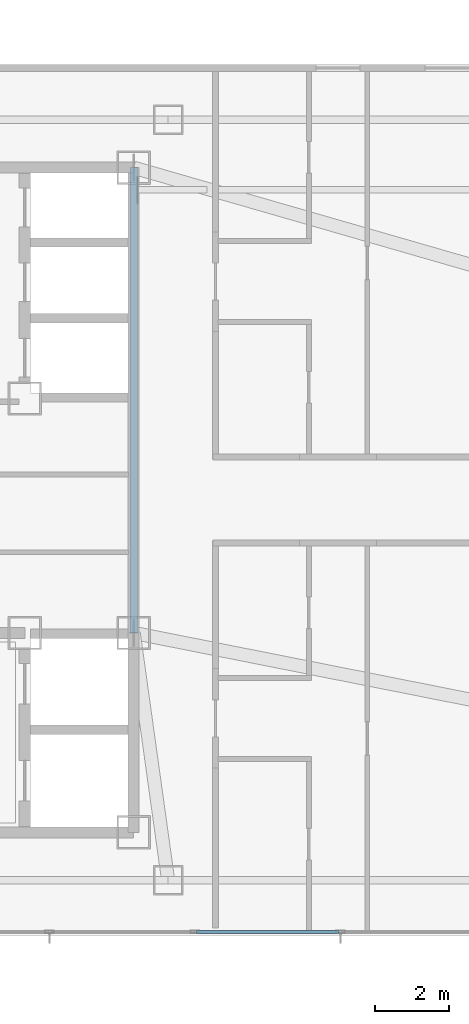
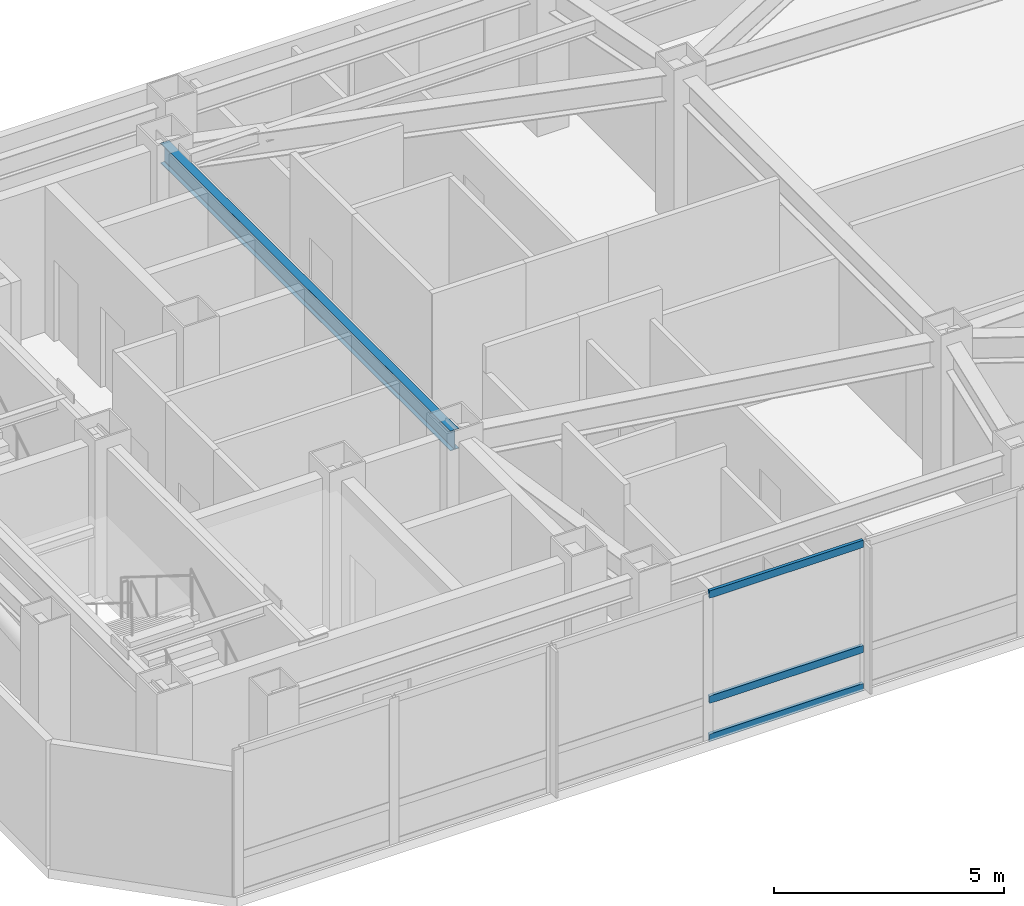
# One storey, part 3 of 12: 3 members, 1 beam, 1 element without a shape of its own.
"""IFC4 building model written with IfcOpenShell, lengths in metres."""

import ifcopenshell
import ifcopenshell.guid

model = None  # the IFC model being written
_history = None  # IfcOwnerHistory: only IFC2X3 demands one
_inside = {}  # id of a spatial element -> (the spatial element, [elements in it])
_under = {}  # id of a project, library or spatial element -> (it, [spatial elements below it])
_declared = {}  # id of a project -> (the project, [libraries it declares])
_typed = {}  # id of a type object -> (the type object, [elements of that type])
_made_of = {}  # id of a material, layer set ... -> (it, [elements and type objects made of it])


def new_model(schema):
    """Start an empty IFC model of exactly this schema.

    Asked for "IFC4X3", IfcOpenShell would pick the latest addendum, in which some entities
    have other attributes; the version numbers below select the first issue.
    IFC2X3 requires an IfcOwnerHistory on every rooted entity: one is made here for all.
    """
    global model, _history
    if schema == "IFC4X3":
        model = ifcopenshell.file(schema_version=(4, 3, 0, 0))
    else:
        model = ifcopenshell.file(schema=schema)
    _inside.clear()
    _under.clear()
    _declared.clear()
    _typed.clear()
    _made_of.clear()
    _history = None
    if model.schema == "IFC2X3":
        org = make("IfcOrganization", Name="unknown")
        user = make(
            "IfcPersonAndOrganization",
            ThePerson=make("IfcPerson", FamilyName="unknown"),
            TheOrganization=org,
        )
        app = make(
            "IfcApplication",
            ApplicationDeveloper=org,
            Version="unknown",
            ApplicationFullName="unknown",
            ApplicationIdentifier="unknown",
        )
        _history = make(
            "IfcOwnerHistory",
            OwningUser=user,
            OwningApplication=app,
            ChangeAction="ADDED",
            CreationDate=0,
        )
    return model


def make(cls, **values):
    """One entity of the class cls with the attributes given. An attribute that is None is left unset."""
    return model.create_entity(
        cls, **{name: value for name, value in values.items() if value is not None}
    )


def rooted(cls, **values):
    """An entity with a GlobalId (a new one), such as an element, a storey or a relation."""
    return make(cls, GlobalId=ifcopenshell.guid.new(), OwnerHistory=_history, **values)


def si_unit(unit_type, name, prefix=None):
    """IfcSIUnit, for example si_unit("LENGTHUNIT", "METRE", prefix="MILLI")."""
    return make("IfcSIUnit", UnitType=unit_type, Prefix=prefix, Name=name)


def assignment(units):
    """IfcUnitAssignment: the units of a project."""
    return None if units is None else make("IfcUnitAssignment", Units=units)


def point(xyz):
    """IfcCartesianPoint."""
    return None if xyz is None else make("IfcCartesianPoint", Coordinates=xyz)


def direction(xyz):
    """IfcDirection."""
    return None if xyz is None else make("IfcDirection", DirectionRatios=xyz)


def frame(location, z_axis=None, x_axis=None):
    """IfcAxis2Placement3D, a coordinate frame: its origin and axes. An axis left out is left unset."""
    return make(
        "IfcAxis2Placement3D",
        Location=point(location),
        Axis=direction(z_axis),
        RefDirection=direction(x_axis),
    )


def frame_2d(location, x_axis=None):
    """IfcAxis2Placement2D, a coordinate frame in the plane: its origin and x axis."""
    return make(
        "IfcAxis2Placement2D", Location=point(location), RefDirection=direction(x_axis)
    )


def origin():
    """The frame at (0, 0, 0) with its axes left unset."""
    return frame((0.0, 0.0, 0.0))


def origin_2d():
    """The frame at (0, 0) in the plane with its x axis left unset."""
    return frame_2d((0.0, 0.0))


def place(relative_to, where):
    """IfcLocalPlacement: puts the frame where relative to a parent placement (None: the world)."""
    return make(
        "IfcLocalPlacement", PlacementRelTo=relative_to, RelativePlacement=where
    )


def context(
    kind, dimensions, precision=None, world=None, true_north=None, identifier=None
):
    """IfcGeometricRepresentationContext, for example the 3D "Model" context."""
    return make(
        "IfcGeometricRepresentationContext",
        ContextIdentifier=identifier,
        ContextType=kind,
        CoordinateSpaceDimension=dimensions,
        Precision=precision,
        WorldCoordinateSystem=world,
        TrueNorth=true_north,
    )


def subcontext(parent, identifier, kind, view, scale=None):
    """IfcGeometricRepresentationSubContext, for example "Body" below "Model"."""
    return make(
        "IfcGeometricRepresentationSubContext",
        ContextIdentifier=identifier,
        ContextType=kind,
        ParentContext=parent,
        TargetScale=scale,
        TargetView=view,
    )


def project(units=None, contexts=None):
    """IfcProject with its units and contexts."""
    return rooted(
        "IfcProject",
        Name="project",
        RepresentationContexts=contexts,
        UnitsInContext=assignment(units),
    )


def spatial(cls, under=None, at=None, **own):
    """A site, building, storey or space (cls), placed at a placement, below another one or the project."""
    s = rooted(cls, ObjectPlacement=at, **own)
    if under is not None:
        _under.setdefault(under.id(), (under, []))[1].append(s)
    return s


def profile(cls, at=None, kind="AREA", **sizes):
    """A parametric profile (cls). Its sizes go by their IFC names, for example OverallWidth=200.0."""
    return make(cls, ProfileType=kind, Position=at, **sizes)


def hollow_rectangle(**sizes):
    """IfcRectangleHollowProfileDef."""
    return profile("IfcRectangleHollowProfileDef", **sizes)


def i_section(**sizes):
    """IfcIShapeProfileDef."""
    return profile("IfcIShapeProfileDef", **sizes)


def extrude(swept, where, along, depth):
    """IfcExtrudedAreaSolid: the profile swept, set in the frame where, extruded along a direction by depth."""
    return make(
        "IfcExtrudedAreaSolid",
        SweptArea=swept,
        Position=where,
        ExtrudedDirection=direction(along),
        Depth=depth,
    )


def shape(context_of_items, identifier, shape_type, items):
    """IfcShapeRepresentation: the items that make up one representation, for example the "Body"."""
    return make(
        "IfcShapeRepresentation",
        ContextOfItems=context_of_items,
        RepresentationIdentifier=identifier,
        RepresentationType=shape_type,
        Items=items,
    )


def material(Name=None, Category=None):
    """IfcMaterial."""
    return make("IfcMaterial", Name=Name, Category=Category)


def material_profile(
    of_material, cross_section, Name=None, Category=None, Priority=None
):
    """IfcMaterialProfile: a cross section and its material."""
    return make(
        "IfcMaterialProfile",
        Name=Name,
        Material=of_material,
        Profile=cross_section,
        Priority=Priority,
        Category=Category,
    )


def profile_set(profiles, Name=None, composite=None):
    """IfcMaterialProfileSet."""
    return make(
        "IfcMaterialProfileSet",
        Name=Name,
        MaterialProfiles=profiles,
        CompositeProfile=composite,
    )


def made_of(thing, what):
    """Note that an element or type object is made of a material, layer set ...; save() writes the relation."""
    if what is not None:
        _made_of.setdefault(what.id(), (what, []))[1].append(thing)
    return thing


def type_object(cls, material=None, **own):
    """A type object (cls), such as IfcWallType, which elements share."""
    return made_of(rooted(cls, **own), material)


def element(
    cls,
    number,
    at=None,
    inside=None,
    cuts=None,
    type_object=None,
    material=None,
    context=None,
    identifier="Body",
    shape_type=None,
    held_by="IfcProductDefinitionShape",
    body=None,
    shapes=None,
    **own,
):
    """One element of the class cls, such as IfcWall. Its Tag is "e" and its number.

    at: its placement. inside: the storey or other place that contains it. cuts: it is an
    opening in that element (IfcRelVoidsElement). A single representation is given by context,
    identifier, shape_type and body (its items); several are given by shapes. held_by: the class
    of the entity that holds the representations. save() writes the other relations.
    """
    e = rooted(cls, Tag="e%d" % number, ObjectPlacement=at, **own)
    if body is not None:
        shapes = [shape(context, identifier, shape_type, body)]
    if shapes is not None:
        e.Representation = make(held_by, Representations=shapes)
    if inside is not None:
        _inside.setdefault(inside.id(), (inside, []))[1].append(e)
    if cuts is not None:
        rooted(
            "IfcRelVoidsElement", RelatingBuildingElement=cuts, RelatedOpeningElement=e
        )
    if type_object is not None:
        _typed.setdefault(type_object.id(), (type_object, []))[1].append(e)
    return made_of(e, material)


def aggregate(whole, parts):
    """IfcRelAggregates: a whole, such as a stair, and the parts it consists of."""
    return rooted("IfcRelAggregates", RelatingObject=whole, RelatedObjects=parts)


def save(model, path):
    """Write the relations noted so far, then the file.

    IfcRelAggregates (storeys below a building ...), IfcRelContainedInSpatialStructure (elements
    in a storey), IfcRelDefinesByType, IfcRelAssociatesMaterial and IfcRelDeclares: one each for
    every whole, place, type object, material and project.
    """
    for whole, parts in _under.values():
        aggregate(whole, parts)
    for where, things in _inside.values():
        rooted(
            "IfcRelContainedInSpatialStructure",
            RelatedElements=things,
            RelatingStructure=where,
        )
    for kind, things in _typed.values():
        rooted("IfcRelDefinesByType", RelatedObjects=things, RelatingType=kind)
    for what, things in _made_of.values():
        rooted("IfcRelAssociatesMaterial", RelatedObjects=things, RelatingMaterial=what)
    for by, libraries in _declared.values():
        rooted("IfcRelDeclares", RelatingContext=by, RelatedDefinitions=libraries)
    model.write(path)


model = new_model("IFC4")

# Units and contexts
model_context = context("Model", 3, precision=1e-05, world=origin(), true_north=direction((0.0, 1.0)))
body_context = subcontext(model_context, "Body", "Model", "MODEL_VIEW")
ifc_project = project(units=[si_unit("LENGTHUNIT", "METRE"), si_unit("AREAUNIT", "SQUARE_METRE"), si_unit("VOLUMEUNIT", "CUBIC_METRE"), si_unit("PLANEANGLEUNIT", "RADIAN"), si_unit("MASSUNIT", "GRAM", prefix="KILO")], contexts=[model_context])

# Site, building, storey
site_placement = place(None, origin())
site = spatial("IfcSite", under=ifc_project, at=site_placement, CompositionType="ELEMENT")
building_placement = place(site_placement, origin())
building = spatial("IfcBuilding", under=site, at=building_placement, Name="Khamvora Tower", CompositionType="ELEMENT")
storey_placement = place(building_placement, frame((0.0, 0.0, 298.85009765625)))
storey = spatial("IfcBuildingStorey", under=building, at=storey_placement, Name="L76", CompositionType="ELEMENT", Elevation=298.85009765625)

# Beam
ifc_material_1 = material(Name="Steel S355", Category="steel")
ifc_material_profile_1 = material_profile(ifc_material_1, i_section(OverallWidth=0.208984375, OverallDepth=0.532958984375, WebThickness=0.010009765625, FlangeThickness=0.01611328125, FilletRadius=0.013916015625, at=origin_2d()), Name="W530x92")
ifc_profile_set_1 = profile_set([ifc_material_profile_1], Name="Steel S355")
beam_type = type_object("IfcBeamType", Name="BM-SP-W530x92", PredefinedType="SPANDREL", material=ifc_profile_set_1)
beam_placement = place(storey_placement, frame((39.39990234375, 24.39990234375, 3.614013671875), z_axis=(0.0, 1.0, 0.0), x_axis=(-1.0, 0.0, 0.0)))
element("IfcBeam", 1, at=beam_placement, inside=storey, type_object=beam_type, Name="L76 core spine girder EN", PredefinedType="SPANDREL", context=body_context, shape_type="SweptSolid", body=[
    extrude(i_section(OverallWidth=0.208984375, OverallDepth=0.532958984375, WebThickness=0.010009765625, FlangeThickness=0.01611328125, FilletRadius=0.013916015625, at=origin_2d()), origin(), (0.0, 0.0, 1.0), 12.60009765625),
])

# Curtain wall, members
ifc_material_2 = material(Name="Anodised Aluminium 6063-T6", Category="aluminium")
curtain_wall_type = type_object("IfcCurtainWallType", Name="CW-SYS-06", PredefinedType="NOTDEFINED", material=ifc_material_2)
curtain_wall_placement = place(storey_placement, origin())
curtain_wall = element("IfcCurtainWall", 2, at=curtain_wall_placement, inside=storey, type_object=curtain_wall_type, Name="L76 stick curtain wall 01.1", PredefinedType="NOTDEFINED")
ifc_material_profile_2 = material_profile(ifc_material_2, hollow_rectangle(XDim=0.080078125, YDim=0.195068359375, WallThickness=0.0048828125, at=origin_2d()), Name="TRN80x195x5")
ifc_profile_set_2 = profile_set([ifc_material_profile_2], Name="Anodised Aluminium 6063-T6")
member_type = type_object("IfcMemberType", Name="CW-SYS-06-TRN", PredefinedType="USERDEFINED", material=ifc_profile_set_2)
member_1_placement = place(storey_placement, frame((44.9599609375, 16.300048828125, 0.039794921875), z_axis=(-1.0, 0.0, 0.0), x_axis=(0.0, -1.0, 0.0)))
member_1 = element("IfcMember", 3, at=member_1_placement, type_object=member_type, Name="CW-06 transom 5.1", ObjectType="TRANSOM", PredefinedType="USERDEFINED", context=body_context, shape_type="SweptSolid", body=[
    extrude(hollow_rectangle(XDim=0.080078125, YDim=0.195068359375, WallThickness=0.0048828125, at=origin_2d()), origin(), (0.0, 0.0, 1.0), 3.859619140625),
])
member_2_placement = place(storey_placement, frame((44.9599609375, 16.300048828125, 1.0498046875), z_axis=(-1.0, 0.0, 0.0), x_axis=(0.0, -1.0, 0.0)))
member_2 = element("IfcMember", 4, at=member_2_placement, type_object=member_type, Name="CW-06 transom 5.2", ObjectType="TRANSOM", PredefinedType="USERDEFINED", context=body_context, shape_type="SweptSolid", body=[
    extrude(hollow_rectangle(XDim=0.080078125, YDim=0.195068359375, WallThickness=0.0048828125, at=origin_2d()), origin(), (0.0, 0.0, 1.0), 3.859619140625),
])
member_3_placement = place(storey_placement, frame((44.9599609375, 16.300048828125, 3.83984375), z_axis=(-1.0, 0.0, 0.0), x_axis=(0.0, -1.0, 0.0)))
member_3 = element("IfcMember", 5, at=member_3_placement, type_object=member_type, Name="CW-06 transom 5.3", ObjectType="TRANSOM", PredefinedType="USERDEFINED", context=body_context, shape_type="SweptSolid", body=[
    extrude(hollow_rectangle(XDim=0.080078125, YDim=0.195068359375, WallThickness=0.0048828125, at=origin_2d()), origin(), (0.0, 0.0, 1.0), 3.859619140625),
])
aggregate(curtain_wall, [member_1, member_2, member_3])

save(model, "model.ifc")
